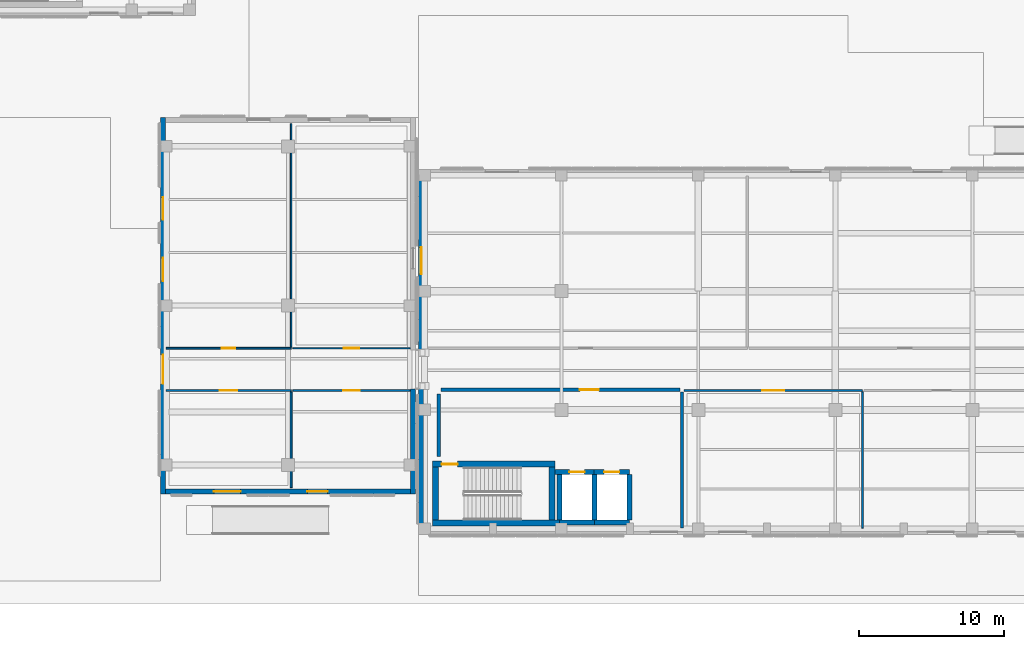
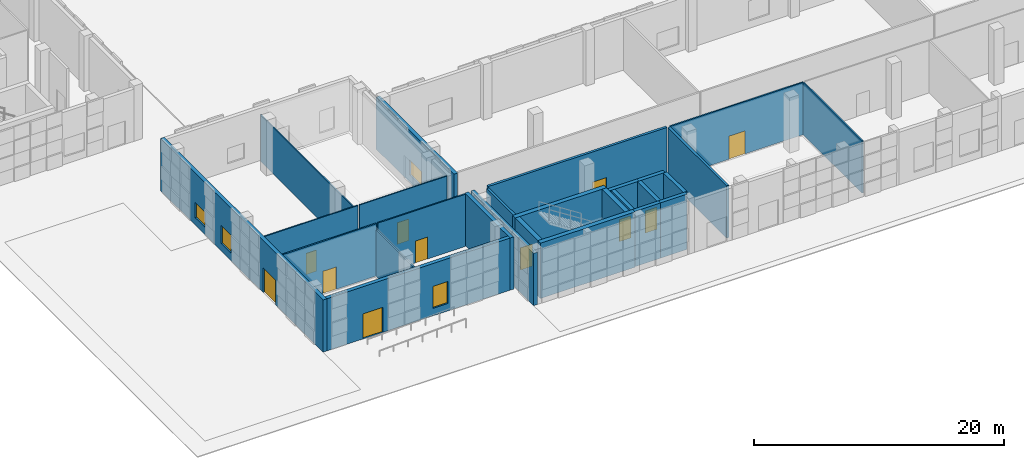
# One storey, part 8 of 40: 27 walls, 11 doors, 4 windows, 15 openings.
"""IFC4 building model written with IfcOpenShell, lengths in metres."""

from ifc_helpers import new_model, si_unit, direction, frame, frame_2d, origin, place, context, subcontext, project, spatial, rectangle, extrude, material, layer, layer_set, type_object, element, fill, save


model = new_model("IFC4")

# Units and contexts
model_context = context("Model", 3, precision=1e-05, world=origin(), true_north=direction((0.0, 1.0)))
body_context = subcontext(model_context, "Body", "Model", "MODEL_VIEW")
ifc_project = project(units=[si_unit("LENGTHUNIT", "METRE"), si_unit("AREAUNIT", "SQUARE_METRE"), si_unit("VOLUMEUNIT", "CUBIC_METRE"), si_unit("PLANEANGLEUNIT", "RADIAN"), si_unit("MASSUNIT", "GRAM", prefix="KILO")], contexts=[model_context])

# Site, building, storey
site_placement = place(None, origin())
site = spatial("IfcSite", under=ifc_project, at=site_placement, CompositionType="ELEMENT")
building_placement = place(site_placement, origin())
building = spatial("IfcBuilding", under=site, at=building_placement, Name="Qalavern Law Courts", CompositionType="ELEMENT")
storey_placement = place(building_placement, origin())
storey = spatial("IfcBuildingStorey", under=building, at=storey_placement, Name="L00", CompositionType="ELEMENT", Elevation=0.0)

# Wall, openings, door, window
ifc_material_1 = material(Name="Concrete C40/50", Category="concrete")
ifc_layer_1 = layer(ifc_material_1, 0.340087890625)
ifc_layer_set_1 = layer_set([ifc_layer_1], Name="Concrete C40/50")
wall_type_1 = type_object("IfcWallType", Name="ENV-EW-340", PredefinedType="SOLIDWALL", material=ifc_layer_set_1)
wall_1_placement = place(storey_placement, frame((16.735107421875, 8.169921875, 0.0), z_axis=(0.0, 0.0, 1.0), x_axis=(1.0, 0.0, 0.0)))
wall_1 = element("IfcWall", 1, at=wall_1_placement, inside=storey, type_object=wall_type_1, Name="V1 exterior wall L00 south 1", PredefinedType="SOLIDWALL", context=body_context, shape_type="SweptSolid", body=[
    extrude(rectangle(XDim=16.929931640625, YDim=0.340087890625, at=frame_2d((8.46484375, 0.0))), origin(), (0.0, 0.0, 1.0), 5.10009765625),
])
opening_1_placement = place(wall_1_placement, frame((3.340087890625, 0.0, 0.0)))
opening_1 = element("IfcOpeningElement", 2, at=opening_1_placement, cuts=wall_1, Name="Opening ED-FOY-V1", PredefinedType="OPENING", context=body_context, shape_type="SweptSolid", body=[
    extrude(rectangle(XDim=1.85009765625, YDim=2.449951171875, at=frame_2d((0.925048828125, 1.22509765625))), frame((0.0, 0.18505859375, 0.0), z_axis=(0.0, -1.0, 0.0), x_axis=(1.0, 0.0, 0.0)), (0.0, 0.0, 1.0), 0.369873046875),
])
opening_2_placement = place(wall_1_placement, frame((9.800048828125, 0.0, 0.719970703125)))
opening_2 = element("IfcOpeningElement", 3, at=opening_2_placement, cuts=wall_1, Name="Opening WN-26", PredefinedType="OPENING", context=body_context, shape_type="SweptSolid", body=[
    extrude(rectangle(XDim=1.39990234375, YDim=2.14990234375, at=frame_2d((0.699951171875, 1.074951171875))), frame((0.0, 0.18505859375, 0.0), z_axis=(0.0, -1.0, 0.0), x_axis=(1.0, 0.0, 0.0)), (0.0, 0.0, 1.0), 0.369873046875),
])
ifc_material_2 = material(Name="Thermally broken anodised aluminium and laminated safety glass", Category="aluminium")
door_type_1 = type_object("IfcDoorType", Name="ENV-ED-1850x2450", OperationType="DOUBLE_DOOR_SINGLE_SWING", PredefinedType="DOOR", material=ifc_material_2)
door_1_placement = place(opening_1_placement, frame((1.85009765625, 0.0, 0.0), z_axis=(0.0, 0.0, 1.0), x_axis=(-1.0, 0.0, 0.0)))
door_1 = element("IfcDoor", 4, at=door_1_placement, inside=storey, type_object=door_type_1, Name="Ground pedestrian exit door ED-FOY-V1", OperationType="DOUBLE_DOOR_SINGLE_SWING", OverallHeight=2.449951171875, OverallWidth=1.85009765625, PredefinedType="DOOR", context=body_context, shape_type="SweptSolid", body=[
    extrude(rectangle(XDim=1.85009765625, YDim=2.449951171875, at=frame_2d((0.925048828125, 1.22509765625))), frame((0.0, 0.02490234375, 0.0), z_axis=(0.0, -1.0, 0.0), x_axis=(1.0, 0.0, 0.0)), (0.0, 0.0, 1.0), 0.050048828125),
])
fill(opening_1, door_1)
ifc_material_3 = material(Name="Anodised aluminium frame with low-E double glazing", Category="aluminium")
window_type_1 = type_object("IfcWindowType", Name="ENV-WIN-1400x2150", PartitioningType="SINGLE_PANEL", PredefinedType="WINDOW", material=ifc_material_3)
window_1_placement = place(opening_2_placement, origin())
window_1 = element("IfcWindow", 5, at=window_1_placement, inside=storey, type_object=window_type_1, Name="V1 window L00 south 3", OverallHeight=2.14990234375, OverallWidth=1.39990234375, PartitioningType="SINGLE_PANEL", PredefinedType="WINDOW", context=body_context, shape_type="SweptSolid", body=[
    extrude(rectangle(XDim=1.39990234375, YDim=2.14990234375, at=frame_2d((0.699951171875, 1.074951171875))), frame((0.0, 0.030029296875, 0.0), z_axis=(0.0, -1.0, 0.0), x_axis=(1.0, 0.0, 0.0)), (0.0, 0.0, 1.0), 0.06005859375),
])
fill(opening_2, window_1)

# Wall
wall_2_placement = place(storey_placement, frame((33.830078125, 8.0, 0.0), z_axis=(0.0, 0.0, 1.0), x_axis=(0.0, 1.0, 0.0)))
element("IfcWall", 6, at=wall_2_placement, inside=storey, type_object=wall_type_1, Name="V1 exterior wall L00 east 1", PredefinedType="SOLIDWALL", context=body_context, shape_type="SweptSolid", body=[
    extrude(rectangle(XDim=7.25, YDim=0.340087890625, at=frame_2d((3.625, 0.0))), origin(), (0.0, 0.0, 1.0), 5.10009765625),
])

# Wall, openings, door, windows
wall_3_placement = place(storey_placement, frame((16.570068359375, 34.0, 0.0), z_axis=(0.0, 0.0, 1.0), x_axis=(0.0, -1.0, 0.0)))
wall_3 = element("IfcWall", 7, at=wall_3_placement, inside=storey, type_object=wall_type_1, Name="V1 exterior wall L00 west 1", PredefinedType="SOLIDWALL", context=body_context, shape_type="SweptSolid", body=[
    extrude(rectangle(XDim=26.0, YDim=0.340087890625, at=frame_2d((13.0, 0.0))), origin(), (0.0, 0.0, 1.0), 5.10009765625),
])
opening_3_placement = place(wall_3_placement, frame((16.39990234375, 0.0, 0.0)))
opening_3 = element("IfcOpeningElement", 8, at=opening_3_placement, cuts=wall_3, Name="Opening ED-MAIN-V1", PredefinedType="OPENING", context=body_context, shape_type="SweptSolid", body=[
    extrude(rectangle(XDim=2.0, YDim=2.419921875, at=frame_2d((1.0, 1.2099609375))), frame((0.0, 0.18505859375, 0.0), z_axis=(0.0, -1.0, 0.0), x_axis=(1.0, 0.0, 0.0)), (0.0, 0.0, 1.0), 0.369873046875),
])
opening_4_placement = place(wall_3_placement, frame((5.52490234375, 0.0, 0.719970703125)))
opening_4 = element("IfcOpeningElement", 9, at=opening_4_placement, cuts=wall_3, Name="Opening WN-04", PredefinedType="OPENING", context=body_context, shape_type="SweptSolid", body=[
    extrude(rectangle(XDim=1.550048828125, YDim=1.5, at=frame_2d((0.77490234375, 0.75))), frame((0.0, 0.18505859375, 0.0), z_axis=(0.0, -1.0, 0.0), x_axis=(1.0, 0.0, 0.0)), (0.0, 0.0, 1.0), 0.369873046875),
])
opening_5_placement = place(wall_3_placement, frame((9.699951171875, 0.0, 0.719970703125)))
opening_5 = element("IfcOpeningElement", 10, at=opening_5_placement, cuts=wall_3, Name="Opening WN-12", PredefinedType="OPENING", context=body_context, shape_type="SweptSolid", body=[
    extrude(rectangle(XDim=1.60009765625, YDim=1.75, at=frame_2d((0.800048828125, 0.875))), frame((0.0, 0.18505859375, 0.0), z_axis=(0.0, -1.0, 0.0), x_axis=(1.0, 0.0, 0.0)), (0.0, 0.0, 1.0), 0.369873046875),
])
door_type_2 = type_object("IfcDoorType", Name="ENV-ED-2000x2420", OperationType="DOUBLE_DOOR_SINGLE_SWING", PredefinedType="DOOR", material=ifc_material_2)
door_2_placement = place(opening_3_placement, frame((2.0, 0.0, 0.0), z_axis=(0.0, 0.0, 1.0), x_axis=(-1.0, 0.0, 0.0)))
door_2 = element("IfcDoor", 11, at=door_2_placement, inside=storey, type_object=door_type_2, Name="Ground pedestrian exit door ED-MAIN-V1", OperationType="DOUBLE_DOOR_SINGLE_SWING", OverallHeight=2.419921875, OverallWidth=2.0, PredefinedType="DOOR", context=body_context, shape_type="SweptSolid", body=[
    extrude(rectangle(XDim=2.0, YDim=2.419921875, at=frame_2d((1.0, 1.2099609375))), frame((0.0, 0.02490234375, 0.0), z_axis=(0.0, -1.0, 0.0), x_axis=(1.0, 0.0, 0.0)), (0.0, 0.0, 1.0), 0.050048828125),
])
fill(opening_3, door_2)
window_type_2 = type_object("IfcWindowType", Name="ENV-WIN-1550x1500", PartitioningType="SINGLE_PANEL", PredefinedType="WINDOW", material=ifc_material_3)
window_2_placement = place(opening_4_placement, origin())
window_2 = element("IfcWindow", 12, at=window_2_placement, inside=storey, type_object=window_type_2, Name="V1 window L00 west 2", OverallHeight=1.5, OverallWidth=1.550048828125, PartitioningType="SINGLE_PANEL", PredefinedType="WINDOW", context=body_context, shape_type="SweptSolid", body=[
    extrude(rectangle(XDim=1.550048828125, YDim=1.5, at=frame_2d((0.77490234375, 0.75))), frame((0.0, 0.030029296875, 0.0), z_axis=(0.0, -1.0, 0.0), x_axis=(1.0, 0.0, 0.0)), (0.0, 0.0, 1.0), 0.06005859375),
])
fill(opening_4, window_2)
window_type_3 = type_object("IfcWindowType", Name="ENV-WIN-1600x1750", PartitioningType="SINGLE_PANEL", PredefinedType="WINDOW", material=ifc_material_3)
window_3_placement = place(opening_5_placement, origin())
window_3 = element("IfcWindow", 13, at=window_3_placement, inside=storey, type_object=window_type_3, Name="V1 window L00 west 3", OverallHeight=1.75, OverallWidth=1.60009765625, PartitioningType="SINGLE_PANEL", PredefinedType="WINDOW", context=body_context, shape_type="SweptSolid", body=[
    extrude(rectangle(XDim=1.60009765625, YDim=1.75, at=frame_2d((0.800048828125, 0.875))), frame((0.0, 0.030029296875, 0.0), z_axis=(0.0, -1.0, 0.0), x_axis=(1.0, 0.0, 0.0)), (0.0, 0.0, 1.0), 0.06005859375),
])
fill(opening_5, window_3)

# Wall, opening, window
wall_4_placement = place(storey_placement, frame((34.389892578125, 30.39990234375, 0.0), z_axis=(0.0, 0.0, 1.0), x_axis=(0.0, -1.0, 0.0)))
wall_4 = element("IfcWall", 14, at=wall_4_placement, inside=storey, type_object=wall_type_1, Name="V2 exterior wall L00 west 1", PredefinedType="SOLIDWALL", context=body_context, shape_type="SweptSolid", body=[
    extrude(rectangle(XDim=12.449951171875, YDim=0.340087890625, at=frame_2d((6.22509765625, 0.0))), origin(), (0.0, 0.0, 1.0), 5.10009765625),
])
opening_6_placement = place(wall_4_placement, frame((5.375, 0.0, 0.719970703125)))
opening_6 = element("IfcOpeningElement", 15, at=opening_6_placement, cuts=wall_4, Name="Opening WN-06", PredefinedType="OPENING", context=body_context, shape_type="SweptSolid", body=[
    extrude(rectangle(XDim=1.85009765625, YDim=1.5, at=frame_2d((0.925048828125, 0.75))), frame((0.0, 0.18505859375, 0.0), z_axis=(0.0, -1.0, 0.0), x_axis=(1.0, 0.0, 0.0)), (0.0, 0.0, 1.0), 0.369873046875),
])
window_type_4 = type_object("IfcWindowType", Name="ENV-WIN-1850x1500", PartitioningType="SINGLE_PANEL", PredefinedType="WINDOW", material=ifc_material_3)
window_4_placement = place(opening_6_placement, origin())
window_4 = element("IfcWindow", 16, at=window_4_placement, inside=storey, type_object=window_type_4, Name="V2 window L00 west 2", OverallHeight=1.5, OverallWidth=1.85009765625, PartitioningType="SINGLE_PANEL", PredefinedType="WINDOW", context=body_context, shape_type="SweptSolid", body=[
    extrude(rectangle(XDim=1.85009765625, YDim=1.5, at=frame_2d((0.925048828125, 0.75))), frame((0.0, 0.030029296875, 0.0), z_axis=(0.0, -1.0, 0.0), x_axis=(1.0, 0.0, 0.0)), (0.0, 0.0, 1.0), 0.06005859375),
])
fill(opening_6, window_4)

# Walls
wall_5_placement = place(storey_placement, frame((34.389892578125, 15.25, 0.0), z_axis=(0.0, 0.0, 1.0), x_axis=(0.0, -1.0, 0.0)))
element("IfcWall", 17, at=wall_5_placement, inside=storey, type_object=wall_type_1, Name="V2 exterior wall L00 west 2", PredefinedType="SOLIDWALL", context=body_context, shape_type="SweptSolid", body=[
    extrude(rectangle(XDim=10.050048828125, YDim=0.340087890625, at=frame_2d((5.02490234375, 0.0))), origin(), (0.0, 0.0, 1.0), 5.10009765625),
])
ifc_material_4 = material(Name="Concrete C45/55", Category="concrete")
ifc_layer_2 = layer(ifc_material_4, 0.4150390625)
ifc_layer_set_2 = layer_set([ifc_layer_2], Name="Concrete C45/55")
wall_type_2 = type_object("IfcWallType", Name="INT-CW-415", PredefinedType="SHEAR", material=ifc_layer_set_2)
wall_6_placement = place(storey_placement, frame((35.18505859375, 5.992431640625, 0.0), z_axis=(0.0, 0.0, 1.0), x_axis=(1.0, 0.0, 0.0)))
element("IfcWall", 18, at=wall_6_placement, inside=storey, type_object=wall_type_2, Name="Core K4 stair shear wall L00 south", PredefinedType="SHEAR", context=body_context, shape_type="SweptSolid", body=[
    extrude(rectangle(XDim=8.739501953125, YDim=0.4150390625, at=frame_2d((4.36962890625, 0.0))), origin(), (0.0, 0.0, 1.0), 5.39990234375),
])
wall_7_placement = place(storey_placement, frame((43.407470703125, 6.199951171875, 0.0), z_axis=(0.0, 0.0, 1.0), x_axis=(0.0, 1.0, 0.0)))
element("IfcWall", 19, at=wall_7_placement, inside=storey, type_object=wall_type_2, Name="Core K4 stair shear wall L00 east", PredefinedType="SHEAR", context=body_context, shape_type="SweptSolid", body=[
    extrude(rectangle(XDim=3.650146484375, YDim=0.4150390625, at=frame_2d((1.8251953125, 0.0))), origin(), (0.0, 0.0, 1.0), 5.39990234375),
])

# Wall, opening, door
wall_8_placement = place(storey_placement, frame((43.614990234375, 10.0576171875, 0.0), z_axis=(0.0, 0.0, 1.0), x_axis=(-1.0, 0.0, 0.0)))
wall_8 = element("IfcWall", 20, at=wall_8_placement, inside=storey, type_object=wall_type_2, Name="Core K4 stair shear wall L00 north", PredefinedType="SHEAR", context=body_context, shape_type="SweptSolid", body=[
    extrude(rectangle(XDim=8.429931640625, YDim=0.4150390625, at=frame_2d((4.21484375, 0.0))), origin(), (0.0, 0.0, 1.0), 5.39990234375),
])
opening_7_placement = place(wall_8_placement, frame((6.715087890625, 0.0, 0.0)))
opening_7 = element("IfcOpeningElement", 21, at=opening_7_placement, cuts=wall_8, Name="Opening L00-D091", PredefinedType="OPENING", context=body_context, shape_type="SweptSolid", body=[
    extrude(rectangle(XDim=1.10009765625, YDim=2.14990234375, at=frame_2d((0.550048828125, 1.074951171875))), frame((0.0, 0.222412109375, 0.0), z_axis=(0.0, -1.0, 0.0), x_axis=(1.0, 0.0, 0.0)), (0.0, 0.0, 1.0), 0.44482421875),
])
ifc_material_5 = material(Name="Steel fire-rated stair enclosure door", Category="steel")
door_type_3 = type_object("IfcDoorType", Name="INT-FD-1100x2150", OperationType="NOTDEFINED", PredefinedType="DOOR", material=ifc_material_5)
door_3_placement = place(opening_7_placement, frame((1.10009765625, 0.0, 0.0), z_axis=(0.0, 0.0, 1.0), x_axis=(-1.0, 0.0, 0.0)))
door_3 = element("IfcDoor", 22, at=door_3_placement, inside=storey, type_object=door_type_3, Name="Stair K4 fire door L00", OperationType="SINGLE_SWING_RIGHT", OverallHeight=2.14990234375, OverallWidth=1.10009765625, PredefinedType="DOOR", context=body_context, shape_type="SweptSolid", body=[
    extrude(rectangle(XDim=1.10009765625, YDim=2.14990234375, at=frame_2d((0.550048828125, 1.074951171875))), frame((0.0, 0.02490234375, 0.0), z_axis=(0.0, -1.0, 0.0), x_axis=(1.0, 0.0, 0.0)), (0.0, 0.0, 1.0), 0.050048828125),
])
fill(opening_7, door_3)

# Wall
wall_9_placement = place(storey_placement, frame((35.392578125, 9.85009765625, 0.0), z_axis=(0.0, 0.0, 1.0), x_axis=(0.0, -1.0, 0.0)))
element("IfcWall", 23, at=wall_9_placement, inside=storey, type_object=wall_type_2, Name="Core K4 stair shear wall L00 west", PredefinedType="SHEAR", context=body_context, shape_type="SweptSolid", body=[
    extrude(rectangle(XDim=3.650146484375, YDim=0.4150390625, at=frame_2d((1.8251953125, 0.0))), origin(), (0.0, 0.0, 1.0), 5.39990234375),
])

# Wall, opening, door
ifc_layer_3 = layer(ifc_material_1, 0.22509765625)
ifc_layer_set_3 = layer_set([ifc_layer_3], Name="Concrete C40/50")
wall_type_3 = type_object("IfcWallType", Name="INT-FW-225", PredefinedType="PARTITIONING", material=ifc_layer_set_3)
wall_10_placement = place(storey_placement, frame((35.75, 15.199951171875, 0.0), z_axis=(0.0, 0.0, 1.0), x_axis=(1.0, 0.0, 0.0)))
wall_10 = element("IfcWall", 24, at=wall_10_placement, inside=storey, type_object=wall_type_3, Name="Core K4 firefighting/stair lobby fire wall L00", PredefinedType="PARTITIONING", context=body_context, shape_type="SweptSolid", body=[
    extrude(rectangle(XDim=16.5, YDim=0.22509765625, at=frame_2d((8.25, 0.0))), origin(), (0.0, 0.0, 1.0), 5.10009765625),
])
opening_8_placement = place(wall_10_placement, frame((9.60009765625, 0.0, 0.0)))
opening_8 = element("IfcOpeningElement", 25, at=opening_8_placement, cuts=wall_10, Name="Opening L00-D092", PredefinedType="OPENING", context=body_context, shape_type="SweptSolid", body=[
    extrude(rectangle(XDim=1.300048828125, YDim=2.14990234375, at=frame_2d((0.64990234375, 1.074951171875))), frame((0.0, 0.12744140625, 0.0), z_axis=(0.0, -1.0, 0.0), x_axis=(1.0, 0.0, 0.0)), (0.0, 0.0, 1.0), 0.2548828125),
])
ifc_material_6 = material(Name="Steel fire-rated frame and acoustic timber leaves", Category="steel")
door_type_4 = type_object("IfcDoorType", Name="INT-FD-1300x2150", OperationType="DOUBLE_DOOR_SINGLE_SWING", PredefinedType="DOOR", material=ifc_material_6)
door_4_placement = place(opening_8_placement, origin())
door_4 = element("IfcDoor", 26, at=door_4_placement, inside=storey, type_object=door_type_4, Name="Core K4 lobby fire door L00", OperationType="DOUBLE_DOOR_SINGLE_SWING", OverallHeight=2.14990234375, OverallWidth=1.300048828125, PredefinedType="DOOR", context=body_context, shape_type="SweptSolid", body=[
    extrude(rectangle(XDim=1.300048828125, YDim=2.14990234375, at=frame_2d((0.64990234375, 1.074951171875))), frame((0.0, 0.02490234375, 0.0), z_axis=(0.0, -1.0, 0.0), x_axis=(1.0, 0.0, 0.0)), (0.0, 0.0, 1.0), 0.050048828125),
])
fill(opening_8, door_4)

# Walls
wall_11_placement = place(storey_placement, frame((35.60009765625, 10.60009765625, 0.0), z_axis=(0.0, 0.0, 1.0), x_axis=(0.0, 1.0, 0.0)))
element("IfcWall", 27, at=wall_11_placement, inside=storey, type_object=wall_type_3, Name="Core K4 lobby return wall L00 west", PredefinedType="PARTITIONING", context=body_context, shape_type="SweptSolid", body=[
    extrude(rectangle(XDim=4.2998046875, YDim=0.22509765625, at=frame_2d((2.14990234375, 0.0))), origin(), (0.0, 0.0, 1.0), 5.10009765625),
])
wall_12_placement = place(storey_placement, frame((52.39990234375, 5.639892578125, 0.0), z_axis=(0.0, 0.0, 1.0), x_axis=(0.0, 1.0, 0.0)))
element("IfcWall", 28, at=wall_12_placement, inside=storey, type_object=wall_type_3, Name="Core K4 protected exit discharge wall L00 pas-e", PredefinedType="PARTITIONING", context=body_context, shape_type="SweptSolid", body=[
    extrude(rectangle(XDim=9.41015625, YDim=0.22509765625, at=frame_2d((4.705078125, 0.0))), origin(), (0.0, 0.0, 1.0), 5.10009765625),
])

# Wall, opening, door
ifc_material_7 = material(Name="Gypsum sanitary partition")
ifc_layer_4 = layer(ifc_material_7, 0.10205078125)
ifc_layer_set_4 = layer_set([ifc_layer_4], Name="Gypsum sanitary partition")
wall_type_4 = type_object("IfcWallType", Name="INT-PW-102", PredefinedType="PARTITIONING", material=ifc_layer_set_4)
wall_13_placement = place(storey_placement, frame((25.534912109375, 18.06005859375, 0.0), z_axis=(0.0, 0.0, 1.0), x_axis=(1.0, 0.0, 0.0)))
wall_13 = element("IfcWall", 29, at=wall_13_placement, inside=storey, type_object=wall_type_4, Name="Security Screening Foyer corridor partition L00", PredefinedType="PARTITIONING", context=body_context, shape_type="SweptSolid", body=[
    extrude(rectangle(XDim=8.085205078125, YDim=0.10205078125, at=frame_2d((4.04248046875, 0.0))), origin(), (0.0, 0.0, 1.0), 5.10009765625),
])
opening_9_placement = place(wall_13_placement, frame((3.512451171875, 0.0, 0.0)))
opening_9 = element("IfcOpeningElement", 30, at=opening_9_placement, cuts=wall_13, Name="Opening L00-D122", PredefinedType="OPENING", context=body_context, shape_type="SweptSolid", body=[
    extrude(rectangle(XDim=1.06005859375, YDim=2.1201171875, at=frame_2d((0.530029296875, 1.06005859375))), frame((0.0, 0.06591796875, 0.0), z_axis=(0.0, -1.0, 0.0), x_axis=(1.0, 0.0, 0.0)), (0.0, 0.0, 1.0), 0.1318359375),
])
ifc_material_8 = material(Name="Solid oak Trial Judges' Chambers door")
door_type_5 = type_object("IfcDoorType", Name="INT-ID-1060x2120", OperationType="NOTDEFINED", PredefinedType="DOOR", material=ifc_material_8)
door_5_placement = place(opening_9_placement, origin())
door_5 = element("IfcDoor", 31, at=door_5_placement, inside=storey, type_object=door_type_5, Name="Security Screening Foyer door L00", OperationType="SINGLE_SWING_LEFT", OverallHeight=2.1201171875, OverallWidth=1.06005859375, PredefinedType="DOOR", context=body_context, shape_type="SweptSolid", body=[
    extrude(rectangle(XDim=1.06005859375, YDim=2.1201171875, at=frame_2d((0.530029296875, 1.06005859375))), frame((0.0, 0.02490234375, 0.0), z_axis=(0.0, -1.0, 0.0), x_axis=(1.0, 0.0, 0.0)), (0.0, 0.0, 1.0), 0.050048828125),
])
fill(opening_9, door_5)

ifc_material_9 = material(Name="Gypsum stud partition")
ifc_layer_5 = layer(ifc_material_9, 0.112060546875)
ifc_layer_set_5 = layer_set([ifc_layer_5], Name="Gypsum stud partition")
wall_type_5 = type_object("IfcWallType", Name="INT-PW-112", PredefinedType="PARTITIONING", material=ifc_layer_set_5)
wall_14_placement = place(storey_placement, frame((16.780029296875, 18.06005859375, 0.0), z_axis=(0.0, 0.0, 1.0), x_axis=(1.0, 0.0, 0.0)))
wall_14 = element("IfcWall", 32, at=wall_14_placement, inside=storey, type_object=wall_type_5, Name="Accessible WC corridor partition L00", PredefinedType="PARTITIONING", context=body_context, shape_type="SweptSolid", body=[
    extrude(rectangle(XDim=8.635009765625, YDim=0.112060546875, at=frame_2d((4.3173828125, 0.0))), origin(), (0.0, 0.0, 1.0), 5.10009765625),
])
opening_10_placement = place(wall_14_placement, frame((3.847412109375, 0.0, 0.0)))
opening_10 = element("IfcOpeningElement", 33, at=opening_10_placement, cuts=wall_14, Name="Opening L00-D121", PredefinedType="OPENING", context=body_context, shape_type="SweptSolid", body=[
    extrude(rectangle(XDim=0.93994140625, YDim=2.070068359375, at=frame_2d((0.469970703125, 1.03515625))), frame((0.0, 0.07080078125, 0.0), z_axis=(0.0, -1.0, 0.0), x_axis=(1.0, 0.0, 0.0)), (0.0, 0.0, 1.0), 0.141845703125),
])
ifc_material_10 = material(Name="Accessible WC outward-clear door")
door_type_6 = type_object("IfcDoorType", Name="INT-ID-940x2070", OperationType="NOTDEFINED", PredefinedType="DOOR", material=ifc_material_10)
door_6_placement = place(opening_10_placement, origin())
door_6 = element("IfcDoor", 34, at=door_6_placement, inside=storey, type_object=door_type_6, Name="Accessible WC door L00", OperationType="SINGLE_SWING_RIGHT", OverallHeight=2.070068359375, OverallWidth=0.93994140625, PredefinedType="DOOR", context=body_context, shape_type="SweptSolid", body=[
    extrude(rectangle(XDim=0.93994140625, YDim=2.070068359375, at=frame_2d((0.469970703125, 1.03515625))), frame((0.0, 0.02490234375, 0.0), z_axis=(0.0, -1.0, 0.0), x_axis=(1.0, 0.0, 0.0)), (0.0, 0.0, 1.0), 0.050048828125),
])
fill(opening_10, door_6)

# Wall
wall_15_placement = place(storey_placement, frame((25.4150390625, 18.135986328125, 0.0), z_axis=(0.0, 0.0, 1.0), x_axis=(0.0, 1.0, 0.0)))
element("IfcWall", 35, at=wall_15_placement, inside=storey, type_object=wall_type_5, Name="Accessible WC cross partition L00 east", PredefinedType="PARTITIONING", context=body_context, shape_type="SweptSolid", body=[
    extrude(rectangle(XDim=15.424072265625, YDim=0.112060546875, at=frame_2d((7.7119140625, 0.0))), origin(), (0.0, 0.0, 1.0), 4.530029296875),
])

# Wall, opening, door
ifc_layer_6 = layer(ifc_material_9, 0.1220703125)
ifc_layer_set_6 = layer_set([ifc_layer_6], Name="Gypsum stud partition")
wall_type_6 = type_object("IfcWallType", Name="INT-PW-122", PredefinedType="PARTITIONING", material=ifc_layer_set_6)
wall_16_placement = place(storey_placement, frame((25.534912109375, 15.139892578125, 0.0), z_axis=(0.0, 0.0, 1.0), x_axis=(1.0, 0.0, 0.0)))
wall_16 = element("IfcWall", 36, at=wall_16_placement, inside=storey, type_object=wall_type_6, Name="Visitor Orientation Waiting Hall corridor partition L00", PredefinedType="PARTITIONING", context=body_context, shape_type="SweptSolid", body=[
    extrude(rectangle(XDim=8.085205078125, YDim=0.1220703125, at=frame_2d((4.04248046875, 0.0))), origin(), (0.0, 0.0, 1.0), 5.10009765625),
])
opening_11_placement = place(wall_16_placement, frame((3.482421875, 0.0, 0.0)))
opening_11 = element("IfcOpeningElement", 37, at=opening_11_placement, cuts=wall_16, Name="Opening L00-D120", PredefinedType="OPENING", context=body_context, shape_type="SweptSolid", body=[
    extrude(rectangle(XDim=1.1201171875, YDim=2.139892578125, at=frame_2d((0.56005859375, 1.06982421875))), frame((0.0, 0.075927734375, 0.0), z_axis=(0.0, -1.0, 0.0), x_axis=(1.0, 0.0, 0.0)), (0.0, 0.0, 1.0), 0.15185546875),
])
ifc_material_11 = material(Name="Solid oak Appellate Chambers door")
door_type_7 = type_object("IfcDoorType", Name="INT-ID-1120x2140", OperationType="NOTDEFINED", PredefinedType="DOOR", material=ifc_material_11)
door_7_placement = place(opening_11_placement, frame((1.1201171875, 0.0, 0.0), z_axis=(0.0, 0.0, 1.0), x_axis=(-1.0, 0.0, 0.0)))
door_7 = element("IfcDoor", 38, at=door_7_placement, inside=storey, type_object=door_type_7, Name="Visitor Orientation Waiting Hall door L00", OperationType="SINGLE_SWING_LEFT", OverallHeight=2.139892578125, OverallWidth=1.1201171875, PredefinedType="DOOR", context=body_context, shape_type="SweptSolid", body=[
    extrude(rectangle(XDim=1.1201171875, YDim=2.139892578125, at=frame_2d((0.56005859375, 1.06982421875))), frame((0.0, 0.02490234375, 0.0), z_axis=(0.0, -1.0, 0.0), x_axis=(1.0, 0.0, 0.0)), (0.0, 0.0, 1.0), 0.050048828125),
])
fill(opening_11, door_7)

ifc_layer_7 = layer(ifc_material_9, 0.132080078125)
ifc_layer_set_7 = layer_set([ifc_layer_7], Name="Gypsum stud partition")
wall_type_7 = type_object("IfcWallType", Name="INT-PW-132", PredefinedType="PARTITIONING", material=ifc_layer_set_7)
wall_17_placement = place(storey_placement, frame((16.780029296875, 15.139892578125, 0.0), z_axis=(0.0, 0.0, 1.0), x_axis=(1.0, 0.0, 0.0)))
wall_17 = element("IfcWall", 39, at=wall_17_placement, inside=storey, type_object=wall_type_7, Name="Security Screening Foyer corridor partition L00", PredefinedType="PARTITIONING", context=body_context, shape_type="SweptSolid", body=[
    extrude(rectangle(XDim=8.635009765625, YDim=0.132080078125, at=frame_2d((4.3173828125, 0.0))), origin(), (0.0, 0.0, 1.0), 5.10009765625),
])
opening_12_placement = place(wall_17_placement, frame((3.70751953125, 0.0, 0.0)))
opening_12 = element("IfcOpeningElement", 40, at=opening_12_placement, cuts=wall_17, Name="Opening L00-D119", PredefinedType="OPENING", context=body_context, shape_type="SweptSolid", body=[
    extrude(rectangle(XDim=1.219970703125, YDim=2.179931640625, at=frame_2d((0.60986328125, 1.08984375))), frame((0.0, 0.0810546875, 0.0), z_axis=(0.0, -1.0, 0.0), x_axis=(1.0, 0.0, 0.0)), (0.0, 0.0, 1.0), 0.161865234375),
])
ifc_material_12 = material(Name="Wide oak Plenary Boardroom door")
door_type_8 = type_object("IfcDoorType", Name="INT-ID-1220x2180", OperationType="NOTDEFINED", PredefinedType="DOOR", material=ifc_material_12)
door_8_placement = place(opening_12_placement, frame((1.219970703125, 0.0, 0.0), z_axis=(0.0, 0.0, 1.0), x_axis=(-1.0, 0.0, 0.0)))
door_8 = element("IfcDoor", 41, at=door_8_placement, inside=storey, type_object=door_type_8, Name="Security Screening Foyer door L00", OperationType="SINGLE_SWING_RIGHT", OverallHeight=2.179931640625, OverallWidth=1.219970703125, PredefinedType="DOOR", context=body_context, shape_type="SweptSolid", body=[
    extrude(rectangle(XDim=1.219970703125, YDim=2.179931640625, at=frame_2d((0.60986328125, 1.08984375))), frame((0.0, 0.02490234375, 0.0), z_axis=(0.0, -1.0, 0.0), x_axis=(1.0, 0.0, 0.0)), (0.0, 0.0, 1.0), 0.050048828125),
])
fill(opening_12, door_8)

# Wall
wall_18_placement = place(storey_placement, frame((25.4150390625, 8.43994140625, 0.0), z_axis=(0.0, 0.0, 1.0), x_axis=(0.0, 1.0, 0.0)))
element("IfcWall", 42, at=wall_18_placement, inside=storey, type_object=wall_type_7, Name="Security Screening Foyer cross partition L00 east", PredefinedType="PARTITIONING", context=body_context, shape_type="SweptSolid", body=[
    extrude(rectangle(XDim=6.614013671875, YDim=0.132080078125, at=frame_2d((3.30712890625, 0.0))), origin(), (0.0, 0.0, 1.0), 4.530029296875),
])

# Wall, opening, door
wall_19_placement = place(storey_placement, frame((52.5400390625, 15.139892578125, 0.0), z_axis=(0.0, 0.0, 1.0), x_axis=(1.0, 0.0, 0.0)))
wall_19 = element("IfcWall", 43, at=wall_19_placement, inside=storey, type_object=wall_type_7, Name="Public Hall corridor partition L00", PredefinedType="PARTITIONING", context=body_context, shape_type="SweptSolid", body=[
    extrude(rectangle(XDim=12.31494140625, YDim=0.132080078125, at=frame_2d((6.157470703125, 0.0))), origin(), (0.0, 0.0, 1.0), 5.10009765625),
])
opening_13_placement = place(wall_19_placement, frame((5.407470703125, 0.0, 0.0)))
opening_13 = element("IfcOpeningElement", 44, at=opening_13_placement, cuts=wall_19, Name="Opening L00-D154", PredefinedType="OPENING", context=body_context, shape_type="SweptSolid", body=[
    extrude(rectangle(XDim=1.5, YDim=2.25, at=frame_2d((0.75, 1.125))), frame((0.0, 0.0810546875, 0.0), z_axis=(0.0, -1.0, 0.0), x_axis=(1.0, 0.0, 0.0)), (0.0, 0.0, 1.0), 0.161865234375),
])
ifc_material_13 = material(Name="Acoustic oak double Jury Assembly door")
door_type_9 = type_object("IfcDoorType", Name="INT-ID-1500x2250", OperationType="DOUBLE_DOOR_SINGLE_SWING", PredefinedType="DOOR", material=ifc_material_13)
door_9_placement = place(opening_13_placement, frame((1.5, 0.0, 0.0), z_axis=(0.0, 0.0, 1.0), x_axis=(-1.0, 0.0, 0.0)))
door_9 = element("IfcDoor", 45, at=door_9_placement, inside=storey, type_object=door_type_9, Name="Public Hall door L00", OperationType="DOUBLE_DOOR_SINGLE_SWING", OverallHeight=2.25, OverallWidth=1.5, PredefinedType="DOOR", context=body_context, shape_type="SweptSolid", body=[
    extrude(rectangle(XDim=1.5, YDim=2.25, at=frame_2d((0.75, 1.125))), frame((0.0, 0.02490234375, 0.0), z_axis=(0.0, -1.0, 0.0), x_axis=(1.0, 0.0, 0.0)), (0.0, 0.0, 1.0), 0.050048828125),
])
fill(opening_13, door_9)

# Walls
wall_20_placement = place(storey_placement, frame((64.85498046875, 5.639892578125, 0.0), z_axis=(0.0, 0.0, 1.0), x_axis=(0.0, 1.0, 0.0)))
element("IfcWall", 46, at=wall_20_placement, inside=storey, type_object=wall_type_7, Name="Public Hall cross partition L00 east", PredefinedType="PARTITIONING", context=body_context, shape_type="SweptSolid", body=[
    extrude(rectangle(XDim=9.4140625, YDim=0.132080078125, at=frame_2d((4.70703125, 0.0))), origin(), (0.0, 0.0, 1.0), 5.10009765625),
])
ifc_layer_8 = layer(ifc_material_4, 0.344970703125)
ifc_layer_set_8 = layer_set([ifc_layer_8], Name="Concrete C45/55")
wall_type_8 = type_object("IfcWallType", Name="INT-SW-345", PredefinedType="SHEAR", material=ifc_layer_set_8)
wall_21_placement = place(storey_placement, frame((43.927490234375, 6.027587890625, 0.0), z_axis=(0.0, 0.0, 1.0), x_axis=(1.0, 0.0, 0.0)))
element("IfcWall", 47, at=wall_21_placement, inside=storey, type_object=wall_type_8, Name="Lift LF-P3 shaft wall L00 south", PredefinedType="SHEAR", context=body_context, shape_type="SweptSolid", body=[
    extrude(rectangle(XDim=2.445068359375, YDim=0.344970703125, at=frame_2d((1.22265625, 0.0))), origin(), (0.0, 0.0, 1.0), 5.39990234375),
])
wall_22_placement = place(storey_placement, frame((46.37255859375, 6.199951171875, 0.0), z_axis=(0.0, 0.0, 1.0), x_axis=(0.0, 1.0, 0.0)))
element("IfcWall", 48, at=wall_22_placement, inside=storey, type_object=wall_type_8, Name="Lift LF-P3 shaft wall L00 east", PredefinedType="SHEAR", context=body_context, shape_type="SweptSolid", body=[
    extrude(rectangle(XDim=3.150146484375, YDim=0.344970703125, at=frame_2d((1.5751953125, 0.0))), origin(), (0.0, 0.0, 1.0), 5.39990234375),
])

# Wall, opening, door
wall_23_placement = place(storey_placement, frame((46.37255859375, 9.5224609375, 0.0), z_axis=(0.0, 0.0, 1.0), x_axis=(-1.0, 0.0, 0.0)))
wall_23 = element("IfcWall", 49, at=wall_23_placement, inside=storey, type_object=wall_type_8, Name="Lift LF-P3 shaft wall L00 north", PredefinedType="SHEAR", context=body_context, shape_type="SweptSolid", body=[
    extrude(rectangle(XDim=2.754638671875, YDim=0.344970703125, at=frame_2d((1.37744140625, 0.0))), origin(), (0.0, 0.0, 1.0), 5.39990234375),
])
opening_14_placement = place(wall_23_placement, frame((0.697509765625, 0.0, 0.0)))
opening_14 = element("IfcOpeningElement", 50, at=opening_14_placement, cuts=wall_23, Name="Opening LD-LF-P3-L00", PredefinedType="OPENING", context=body_context, shape_type="SweptSolid", body=[
    extrude(rectangle(XDim=1.050048828125, YDim=2.14990234375, at=frame_2d((0.52490234375, 1.074951171875))), frame((0.0, 0.1875, 0.0), z_axis=(0.0, -1.0, 0.0), x_axis=(1.0, 0.0, 0.0)), (0.0, 0.0, 1.0), 0.374755859375),
])
ifc_material_14 = material(Name="Brushed stainless steel passenger lift sliding landing door", Category="steel")
door_type_10 = type_object("IfcDoorType", Name="INT-LD-1050x2150", OperationType="DOUBLE_DOOR_SLIDING", PredefinedType="DOOR", material=ifc_material_14)
door_10_placement = place(opening_14_placement, origin())
door_10 = element("IfcDoor", 51, at=door_10_placement, inside=storey, type_object=door_type_10, Name="Lift LF-P3 sliding landing door L00", OperationType="DOUBLE_DOOR_SLIDING", OverallHeight=2.14990234375, OverallWidth=1.050048828125, PredefinedType="DOOR", context=body_context, shape_type="SweptSolid", body=[
    extrude(rectangle(XDim=1.050048828125, YDim=2.14990234375, at=frame_2d((0.52490234375, 1.074951171875))), frame((0.0, 0.02490234375, 0.0), z_axis=(0.0, -1.0, 0.0), x_axis=(1.0, 0.0, 0.0)), (0.0, 0.0, 1.0), 0.050048828125),
])
fill(opening_14, door_10)

# Walls
wall_24_placement = place(storey_placement, frame((43.927490234375, 9.35009765625, 0.0), z_axis=(0.0, 0.0, 1.0), x_axis=(0.0, -1.0, 0.0)))
element("IfcWall", 52, at=wall_24_placement, inside=storey, type_object=wall_type_8, Name="Lift LF-P3 shaft wall L00 west", PredefinedType="SHEAR", context=body_context, shape_type="SweptSolid", body=[
    extrude(rectangle(XDim=3.150146484375, YDim=0.344970703125, at=frame_2d((1.5751953125, 0.0))), origin(), (0.0, 0.0, 1.0), 5.39990234375),
])
wall_25_placement = place(storey_placement, frame((46.327392578125, 6.027587890625, 0.0), z_axis=(0.0, 0.0, 1.0), x_axis=(1.0, 0.0, 0.0)))
element("IfcWall", 53, at=wall_25_placement, inside=storey, type_object=wall_type_8, Name="Lift LF-P4 shaft wall L00 south", PredefinedType="SHEAR", context=body_context, shape_type="SweptSolid", body=[
    extrude(rectangle(XDim=2.445068359375, YDim=0.344970703125, at=frame_2d((1.22265625, 0.0))), origin(), (0.0, 0.0, 1.0), 5.39990234375),
])
wall_26_placement = place(storey_placement, frame((48.7724609375, 6.199951171875, 0.0), z_axis=(0.0, 0.0, 1.0), x_axis=(0.0, 1.0, 0.0)))
element("IfcWall", 54, at=wall_26_placement, inside=storey, type_object=wall_type_8, Name="Lift LF-P4 shaft wall L00 east", PredefinedType="SHEAR", context=body_context, shape_type="SweptSolid", body=[
    extrude(rectangle(XDim=3.150146484375, YDim=0.344970703125, at=frame_2d((1.5751953125, 0.0))), origin(), (0.0, 0.0, 1.0), 5.39990234375),
])

# Wall, opening, door
wall_27_placement = place(storey_placement, frame((48.7724609375, 9.5224609375, 0.0), z_axis=(0.0, 0.0, 1.0), x_axis=(-1.0, 0.0, 0.0)))
wall_27 = element("IfcWall", 55, at=wall_27_placement, inside=storey, type_object=wall_type_8, Name="Lift LF-P4 shaft wall L00 north", PredefinedType="SHEAR", context=body_context, shape_type="SweptSolid", body=[
    extrude(rectangle(XDim=2.445068359375, YDim=0.344970703125, at=frame_2d((1.22265625, 0.0))), origin(), (0.0, 0.0, 1.0), 5.39990234375),
])
opening_15_placement = place(wall_27_placement, frame((0.697509765625, 0.0, 0.0)))
opening_15 = element("IfcOpeningElement", 56, at=opening_15_placement, cuts=wall_27, Name="Opening LD-LF-P4-L00", PredefinedType="OPENING", context=body_context, shape_type="SweptSolid", body=[
    extrude(rectangle(XDim=1.050048828125, YDim=2.14990234375, at=frame_2d((0.52490234375, 1.074951171875))), frame((0.0, 0.1875, 0.0), z_axis=(0.0, -1.0, 0.0), x_axis=(1.0, 0.0, 0.0)), (0.0, 0.0, 1.0), 0.374755859375),
])
door_11_placement = place(opening_15_placement, origin())
door_11 = element("IfcDoor", 57, at=door_11_placement, inside=storey, type_object=door_type_10, Name="Lift LF-P4 sliding landing door L00", OperationType="DOUBLE_DOOR_SLIDING", OverallHeight=2.14990234375, OverallWidth=1.050048828125, PredefinedType="DOOR", context=body_context, shape_type="SweptSolid", body=[
    extrude(rectangle(XDim=1.050048828125, YDim=2.14990234375, at=frame_2d((0.52490234375, 1.074951171875))), frame((0.0, 0.02490234375, 0.0), z_axis=(0.0, -1.0, 0.0), x_axis=(1.0, 0.0, 0.0)), (0.0, 0.0, 1.0), 0.050048828125),
])
fill(opening_15, door_11)

save(model, "model.ifc")
